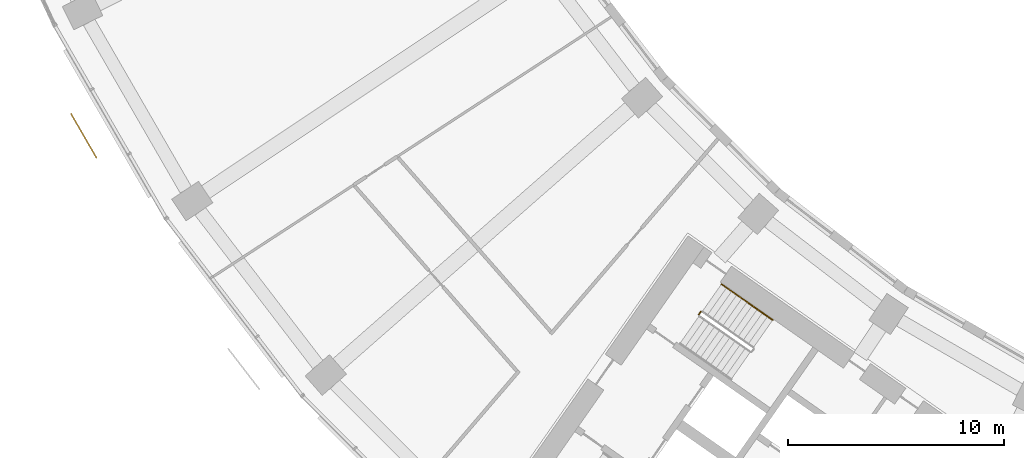
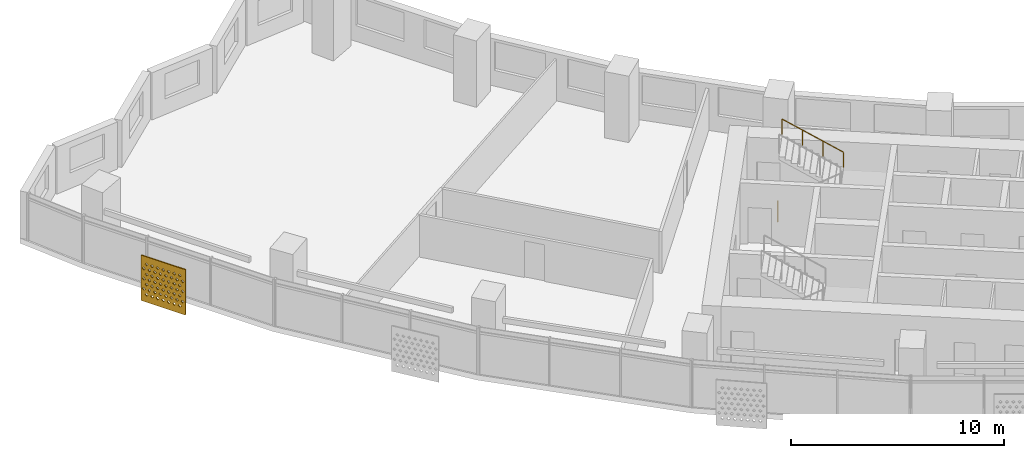
# One storey, part 26 of 29: 2 railings, 1 shading device.
"""IFC4 building model written with IfcOpenShell, lengths in metres."""

from ifc_helpers import new_model, si_unit, direction, frame, origin, origin_2d, place, context, subcontext, project, spatial, polyline, circle, outline, extrude, material, material_profile, profile_set, type_object, element, save


model = new_model("IFC4")

# Units and contexts
model_context = context("Model", 3, precision=1e-05, world=origin(), true_north=direction((0.0, 1.0)))
body_context = subcontext(model_context, "Body", "Model", "MODEL_VIEW")
ifc_project = project(units=[si_unit("LENGTHUNIT", "METRE"), si_unit("AREAUNIT", "SQUARE_METRE"), si_unit("VOLUMEUNIT", "CUBIC_METRE"), si_unit("PLANEANGLEUNIT", "RADIAN"), si_unit("MASSUNIT", "GRAM", prefix="KILO")], contexts=[model_context])

# Site, building, storey
site_placement = place(None, origin())
site = spatial("IfcSite", under=ifc_project, at=site_placement, CompositionType="ELEMENT")
building_placement = place(site_placement, origin())
building = spatial("IfcBuilding", under=site, at=building_placement, Name="Qamariyya Broadcast Tower", CompositionType="ELEMENT")
storey_placement = place(building_placement, frame((0.0, 0.0, 136.699951171875)))
storey = spatial("IfcBuildingStorey", under=building, at=storey_placement, Name="L31", CompositionType="ELEMENT", Elevation=136.699951171875)

# Shading device
ifc_material_1 = material(Name="Perforated glazed terracotta", Category="masonry")
ifc_material_profile = material_profile(ifc_material_1, outline(polyline([(-1.199951171875, -1.300048828125), (1.199951171875, -1.300048828125), (1.199951171875, 1.300048828125), (-1.199951171875, 1.300048828125), (-1.199951171875, -1.300048828125)]), holes=[polyline([(-0.81494140625, -0.86669921875), (-0.89990234375, -0.78173828125), (-0.985107421875, -0.86669921875), (-0.89990234375, -0.95166015625), (-0.81494140625, -0.86669921875)]), polyline([(-0.514892578125, -0.86669921875), (-0.60009765625, -0.78173828125), (-0.68505859375, -0.86669921875), (-0.60009765625, -0.95166015625), (-0.514892578125, -0.86669921875)]), polyline([(-0.215087890625, -0.86669921875), (-0.300048828125, -0.78173828125), (-0.385009765625, -0.86669921875), (-0.300048828125, -0.95166015625), (-0.215087890625, -0.86669921875)]), polyline([(0.0849609375, -0.86669921875), (0.0, -0.78173828125), (-0.0849609375, -0.86669921875), (0.0, -0.95166015625), (0.0849609375, -0.86669921875)]), polyline([(0.385009765625, -0.86669921875), (0.300048828125, -0.78173828125), (0.215087890625, -0.86669921875), (0.300048828125, -0.95166015625), (0.385009765625, -0.86669921875)]), polyline([(0.68505859375, -0.86669921875), (0.60009765625, -0.78173828125), (0.514892578125, -0.86669921875), (0.60009765625, -0.95166015625), (0.68505859375, -0.86669921875)]), polyline([(0.985107421875, -0.86669921875), (0.89990234375, -0.78173828125), (0.81494140625, -0.86669921875), (0.89990234375, -0.95166015625), (0.985107421875, -0.86669921875)]), polyline([(-0.965087890625, -0.577880859375), (-1.050048828125, -0.49267578125), (-1.135009765625, -0.577880859375), (-1.050048828125, -0.662841796875), (-0.965087890625, -0.577880859375)]), polyline([(-0.6650390625, -0.577880859375), (-0.75, -0.49267578125), (-0.8349609375, -0.577880859375), (-0.75, -0.662841796875), (-0.6650390625, -0.577880859375)]), polyline([(-0.364990234375, -0.577880859375), (-0.449951171875, -0.49267578125), (-0.534912109375, -0.577880859375), (-0.449951171875, -0.662841796875), (-0.364990234375, -0.577880859375)]), polyline([(-0.06494140625, -0.577880859375), (-0.14990234375, -0.49267578125), (-0.235107421875, -0.577880859375), (-0.14990234375, -0.662841796875), (-0.06494140625, -0.577880859375)]), polyline([(0.235107421875, -0.577880859375), (0.14990234375, -0.49267578125), (0.06494140625, -0.577880859375), (0.14990234375, -0.662841796875), (0.235107421875, -0.577880859375)]), polyline([(0.534912109375, -0.577880859375), (0.449951171875, -0.49267578125), (0.364990234375, -0.577880859375), (0.449951171875, -0.662841796875), (0.534912109375, -0.577880859375)]), polyline([(0.8349609375, -0.577880859375), (0.75, -0.49267578125), (0.6650390625, -0.577880859375), (0.75, -0.662841796875), (0.8349609375, -0.577880859375)]), polyline([(1.135009765625, -0.577880859375), (1.050048828125, -0.49267578125), (0.965087890625, -0.577880859375), (1.050048828125, -0.662841796875), (1.135009765625, -0.577880859375)]), polyline([(-0.81494140625, -0.288818359375), (-0.89990234375, -0.203857421875), (-0.985107421875, -0.288818359375), (-0.89990234375, -0.373779296875), (-0.81494140625, -0.288818359375)]), polyline([(-0.514892578125, -0.288818359375), (-0.60009765625, -0.203857421875), (-0.68505859375, -0.288818359375), (-0.60009765625, -0.373779296875), (-0.514892578125, -0.288818359375)]), polyline([(-0.215087890625, -0.288818359375), (-0.300048828125, -0.203857421875), (-0.385009765625, -0.288818359375), (-0.300048828125, -0.373779296875), (-0.215087890625, -0.288818359375)]), polyline([(0.0849609375, -0.288818359375), (0.0, -0.203857421875), (-0.0849609375, -0.288818359375), (0.0, -0.373779296875), (0.0849609375, -0.288818359375)]), polyline([(0.385009765625, -0.288818359375), (0.300048828125, -0.203857421875), (0.215087890625, -0.288818359375), (0.300048828125, -0.373779296875), (0.385009765625, -0.288818359375)]), polyline([(0.68505859375, -0.288818359375), (0.60009765625, -0.203857421875), (0.514892578125, -0.288818359375), (0.60009765625, -0.373779296875), (0.68505859375, -0.288818359375)]), polyline([(0.985107421875, -0.288818359375), (0.89990234375, -0.203857421875), (0.81494140625, -0.288818359375), (0.89990234375, -0.373779296875), (0.985107421875, -0.288818359375)]), polyline([(-0.965087890625, 0.0), (-1.050048828125, 0.0849609375), (-1.135009765625, 0.0), (-1.050048828125, -0.0849609375), (-0.965087890625, 0.0)]), polyline([(-0.6650390625, 0.0), (-0.75, 0.0849609375), (-0.8349609375, 0.0), (-0.75, -0.0849609375), (-0.6650390625, 0.0)]), polyline([(-0.364990234375, 0.0), (-0.449951171875, 0.0849609375), (-0.534912109375, 0.0), (-0.449951171875, -0.0849609375), (-0.364990234375, 0.0)]), polyline([(-0.06494140625, 0.0), (-0.14990234375, 0.0849609375), (-0.235107421875, 0.0), (-0.14990234375, -0.0849609375), (-0.06494140625, 0.0)]), polyline([(0.235107421875, 0.0), (0.14990234375, 0.0849609375), (0.06494140625, 0.0), (0.14990234375, -0.0849609375), (0.235107421875, 0.0)]), polyline([(0.534912109375, 0.0), (0.449951171875, 0.0849609375), (0.364990234375, 0.0), (0.449951171875, -0.0849609375), (0.534912109375, 0.0)]), polyline([(0.8349609375, 0.0), (0.75, 0.0849609375), (0.6650390625, 0.0), (0.75, -0.0849609375), (0.8349609375, 0.0)]), polyline([(1.135009765625, 0.0), (1.050048828125, 0.0849609375), (0.965087890625, 0.0), (1.050048828125, -0.0849609375), (1.135009765625, 0.0)]), polyline([(-0.81494140625, 0.288818359375), (-0.89990234375, 0.373779296875), (-0.985107421875, 0.288818359375), (-0.89990234375, 0.203857421875), (-0.81494140625, 0.288818359375)]), polyline([(-0.514892578125, 0.288818359375), (-0.60009765625, 0.373779296875), (-0.68505859375, 0.288818359375), (-0.60009765625, 0.203857421875), (-0.514892578125, 0.288818359375)]), polyline([(-0.215087890625, 0.288818359375), (-0.300048828125, 0.373779296875), (-0.385009765625, 0.288818359375), (-0.300048828125, 0.203857421875), (-0.215087890625, 0.288818359375)]), polyline([(0.0849609375, 0.288818359375), (0.0, 0.373779296875), (-0.0849609375, 0.288818359375), (0.0, 0.203857421875), (0.0849609375, 0.288818359375)]), polyline([(0.385009765625, 0.288818359375), (0.300048828125, 0.373779296875), (0.215087890625, 0.288818359375), (0.300048828125, 0.203857421875), (0.385009765625, 0.288818359375)]), polyline([(0.68505859375, 0.288818359375), (0.60009765625, 0.373779296875), (0.514892578125, 0.288818359375), (0.60009765625, 0.203857421875), (0.68505859375, 0.288818359375)]), polyline([(0.985107421875, 0.288818359375), (0.89990234375, 0.373779296875), (0.81494140625, 0.288818359375), (0.89990234375, 0.203857421875), (0.985107421875, 0.288818359375)]), polyline([(-0.965087890625, 0.577880859375), (-1.050048828125, 0.662841796875), (-1.135009765625, 0.577880859375), (-1.050048828125, 0.49267578125), (-0.965087890625, 0.577880859375)]), polyline([(-0.6650390625, 0.577880859375), (-0.75, 0.662841796875), (-0.8349609375, 0.577880859375), (-0.75, 0.49267578125), (-0.6650390625, 0.577880859375)]), polyline([(-0.364990234375, 0.577880859375), (-0.449951171875, 0.662841796875), (-0.534912109375, 0.577880859375), (-0.449951171875, 0.49267578125), (-0.364990234375, 0.577880859375)]), polyline([(-0.06494140625, 0.577880859375), (-0.14990234375, 0.662841796875), (-0.235107421875, 0.577880859375), (-0.14990234375, 0.49267578125), (-0.06494140625, 0.577880859375)]), polyline([(0.235107421875, 0.577880859375), (0.14990234375, 0.662841796875), (0.06494140625, 0.577880859375), (0.14990234375, 0.49267578125), (0.235107421875, 0.577880859375)]), polyline([(0.534912109375, 0.577880859375), (0.449951171875, 0.662841796875), (0.364990234375, 0.577880859375), (0.449951171875, 0.49267578125), (0.534912109375, 0.577880859375)]), polyline([(0.8349609375, 0.577880859375), (0.75, 0.662841796875), (0.6650390625, 0.577880859375), (0.75, 0.49267578125), (0.8349609375, 0.577880859375)]), polyline([(1.135009765625, 0.577880859375), (1.050048828125, 0.662841796875), (0.965087890625, 0.577880859375), (1.050048828125, 0.49267578125), (1.135009765625, 0.577880859375)]), polyline([(-0.81494140625, 0.86669921875), (-0.89990234375, 0.95166015625), (-0.985107421875, 0.86669921875), (-0.89990234375, 0.78173828125), (-0.81494140625, 0.86669921875)]), polyline([(-0.514892578125, 0.86669921875), (-0.60009765625, 0.95166015625), (-0.68505859375, 0.86669921875), (-0.60009765625, 0.78173828125), (-0.514892578125, 0.86669921875)]), polyline([(-0.215087890625, 0.86669921875), (-0.300048828125, 0.95166015625), (-0.385009765625, 0.86669921875), (-0.300048828125, 0.78173828125), (-0.215087890625, 0.86669921875)]), polyline([(0.0849609375, 0.86669921875), (0.0, 0.95166015625), (-0.0849609375, 0.86669921875), (0.0, 0.78173828125), (0.0849609375, 0.86669921875)]), polyline([(0.385009765625, 0.86669921875), (0.300048828125, 0.95166015625), (0.215087890625, 0.86669921875), (0.300048828125, 0.78173828125), (0.385009765625, 0.86669921875)]), polyline([(0.68505859375, 0.86669921875), (0.60009765625, 0.95166015625), (0.514892578125, 0.86669921875), (0.60009765625, 0.78173828125), (0.68505859375, 0.86669921875)]), polyline([(0.985107421875, 0.86669921875), (0.89990234375, 0.95166015625), (0.81494140625, 0.86669921875), (0.89990234375, 0.78173828125), (0.985107421875, 0.86669921875)])]))
ifc_profile_set = profile_set([ifc_material_profile], Name="Perforated glazed terracotta")
shading_device_type = type_object("IfcShadingDeviceType", Name="Perforated terracotta screen 2400 x 2600", PredefinedType="USERDEFINED", material=ifc_profile_set)
shading_device_placement = place(storey_placement, frame((-69.65185546875, -40.15966796875, 1.35009765625), z_axis=(-0.865982457891, -0.500074377092, 0.0), x_axis=(0.500074377092, -0.865982457891, 0.0)))
element("IfcShadingDevice", 1, at=shading_device_placement, inside=storey, type_object=shading_device_type, Name="e-scr-L31-01-1", ObjectType="SCREEN", PredefinedType="USERDEFINED", context=body_context, shape_type="SweptSolid", body=[
    extrude(outline(polyline([(-1.199951171875, -1.300048828125), (1.199951171875, -1.300048828125), (1.199951171875, 1.300048828125), (-1.199951171875, 1.300048828125), (-1.199951171875, -1.300048828125)]), holes=[polyline([(-0.81494140625, -0.86669921875), (-0.89990234375, -0.78173828125), (-0.985107421875, -0.86669921875), (-0.89990234375, -0.95166015625), (-0.81494140625, -0.86669921875)]), polyline([(-0.514892578125, -0.86669921875), (-0.60009765625, -0.78173828125), (-0.68505859375, -0.86669921875), (-0.60009765625, -0.95166015625), (-0.514892578125, -0.86669921875)]), polyline([(-0.215087890625, -0.86669921875), (-0.300048828125, -0.78173828125), (-0.385009765625, -0.86669921875), (-0.300048828125, -0.95166015625), (-0.215087890625, -0.86669921875)]), polyline([(0.0849609375, -0.86669921875), (0.0, -0.78173828125), (-0.0849609375, -0.86669921875), (0.0, -0.95166015625), (0.0849609375, -0.86669921875)]), polyline([(0.385009765625, -0.86669921875), (0.300048828125, -0.78173828125), (0.215087890625, -0.86669921875), (0.300048828125, -0.95166015625), (0.385009765625, -0.86669921875)]), polyline([(0.68505859375, -0.86669921875), (0.60009765625, -0.78173828125), (0.514892578125, -0.86669921875), (0.60009765625, -0.95166015625), (0.68505859375, -0.86669921875)]), polyline([(0.985107421875, -0.86669921875), (0.89990234375, -0.78173828125), (0.81494140625, -0.86669921875), (0.89990234375, -0.95166015625), (0.985107421875, -0.86669921875)]), polyline([(-0.965087890625, -0.577880859375), (-1.050048828125, -0.49267578125), (-1.135009765625, -0.577880859375), (-1.050048828125, -0.662841796875), (-0.965087890625, -0.577880859375)]), polyline([(-0.6650390625, -0.577880859375), (-0.75, -0.49267578125), (-0.8349609375, -0.577880859375), (-0.75, -0.662841796875), (-0.6650390625, -0.577880859375)]), polyline([(-0.364990234375, -0.577880859375), (-0.449951171875, -0.49267578125), (-0.534912109375, -0.577880859375), (-0.449951171875, -0.662841796875), (-0.364990234375, -0.577880859375)]), polyline([(-0.06494140625, -0.577880859375), (-0.14990234375, -0.49267578125), (-0.235107421875, -0.577880859375), (-0.14990234375, -0.662841796875), (-0.06494140625, -0.577880859375)]), polyline([(0.235107421875, -0.577880859375), (0.14990234375, -0.49267578125), (0.06494140625, -0.577880859375), (0.14990234375, -0.662841796875), (0.235107421875, -0.577880859375)]), polyline([(0.534912109375, -0.577880859375), (0.449951171875, -0.49267578125), (0.364990234375, -0.577880859375), (0.449951171875, -0.662841796875), (0.534912109375, -0.577880859375)]), polyline([(0.8349609375, -0.577880859375), (0.75, -0.49267578125), (0.6650390625, -0.577880859375), (0.75, -0.662841796875), (0.8349609375, -0.577880859375)]), polyline([(1.135009765625, -0.577880859375), (1.050048828125, -0.49267578125), (0.965087890625, -0.577880859375), (1.050048828125, -0.662841796875), (1.135009765625, -0.577880859375)]), polyline([(-0.81494140625, -0.288818359375), (-0.89990234375, -0.203857421875), (-0.985107421875, -0.288818359375), (-0.89990234375, -0.373779296875), (-0.81494140625, -0.288818359375)]), polyline([(-0.514892578125, -0.288818359375), (-0.60009765625, -0.203857421875), (-0.68505859375, -0.288818359375), (-0.60009765625, -0.373779296875), (-0.514892578125, -0.288818359375)]), polyline([(-0.215087890625, -0.288818359375), (-0.300048828125, -0.203857421875), (-0.385009765625, -0.288818359375), (-0.300048828125, -0.373779296875), (-0.215087890625, -0.288818359375)]), polyline([(0.0849609375, -0.288818359375), (0.0, -0.203857421875), (-0.0849609375, -0.288818359375), (0.0, -0.373779296875), (0.0849609375, -0.288818359375)]), polyline([(0.385009765625, -0.288818359375), (0.300048828125, -0.203857421875), (0.215087890625, -0.288818359375), (0.300048828125, -0.373779296875), (0.385009765625, -0.288818359375)]), polyline([(0.68505859375, -0.288818359375), (0.60009765625, -0.203857421875), (0.514892578125, -0.288818359375), (0.60009765625, -0.373779296875), (0.68505859375, -0.288818359375)]), polyline([(0.985107421875, -0.288818359375), (0.89990234375, -0.203857421875), (0.81494140625, -0.288818359375), (0.89990234375, -0.373779296875), (0.985107421875, -0.288818359375)]), polyline([(-0.965087890625, 0.0), (-1.050048828125, 0.0849609375), (-1.135009765625, 0.0), (-1.050048828125, -0.0849609375), (-0.965087890625, 0.0)]), polyline([(-0.6650390625, 0.0), (-0.75, 0.0849609375), (-0.8349609375, 0.0), (-0.75, -0.0849609375), (-0.6650390625, 0.0)]), polyline([(-0.364990234375, 0.0), (-0.449951171875, 0.0849609375), (-0.534912109375, 0.0), (-0.449951171875, -0.0849609375), (-0.364990234375, 0.0)]), polyline([(-0.06494140625, 0.0), (-0.14990234375, 0.0849609375), (-0.235107421875, 0.0), (-0.14990234375, -0.0849609375), (-0.06494140625, 0.0)]), polyline([(0.235107421875, 0.0), (0.14990234375, 0.0849609375), (0.06494140625, 0.0), (0.14990234375, -0.0849609375), (0.235107421875, 0.0)]), polyline([(0.534912109375, 0.0), (0.449951171875, 0.0849609375), (0.364990234375, 0.0), (0.449951171875, -0.0849609375), (0.534912109375, 0.0)]), polyline([(0.8349609375, 0.0), (0.75, 0.0849609375), (0.6650390625, 0.0), (0.75, -0.0849609375), (0.8349609375, 0.0)]), polyline([(1.135009765625, 0.0), (1.050048828125, 0.0849609375), (0.965087890625, 0.0), (1.050048828125, -0.0849609375), (1.135009765625, 0.0)]), polyline([(-0.81494140625, 0.288818359375), (-0.89990234375, 0.373779296875), (-0.985107421875, 0.288818359375), (-0.89990234375, 0.203857421875), (-0.81494140625, 0.288818359375)]), polyline([(-0.514892578125, 0.288818359375), (-0.60009765625, 0.373779296875), (-0.68505859375, 0.288818359375), (-0.60009765625, 0.203857421875), (-0.514892578125, 0.288818359375)]), polyline([(-0.215087890625, 0.288818359375), (-0.300048828125, 0.373779296875), (-0.385009765625, 0.288818359375), (-0.300048828125, 0.203857421875), (-0.215087890625, 0.288818359375)]), polyline([(0.0849609375, 0.288818359375), (0.0, 0.373779296875), (-0.0849609375, 0.288818359375), (0.0, 0.203857421875), (0.0849609375, 0.288818359375)]), polyline([(0.385009765625, 0.288818359375), (0.300048828125, 0.373779296875), (0.215087890625, 0.288818359375), (0.300048828125, 0.203857421875), (0.385009765625, 0.288818359375)]), polyline([(0.68505859375, 0.288818359375), (0.60009765625, 0.373779296875), (0.514892578125, 0.288818359375), (0.60009765625, 0.203857421875), (0.68505859375, 0.288818359375)]), polyline([(0.985107421875, 0.288818359375), (0.89990234375, 0.373779296875), (0.81494140625, 0.288818359375), (0.89990234375, 0.203857421875), (0.985107421875, 0.288818359375)]), polyline([(-0.965087890625, 0.577880859375), (-1.050048828125, 0.662841796875), (-1.135009765625, 0.577880859375), (-1.050048828125, 0.49267578125), (-0.965087890625, 0.577880859375)]), polyline([(-0.6650390625, 0.577880859375), (-0.75, 0.662841796875), (-0.8349609375, 0.577880859375), (-0.75, 0.49267578125), (-0.6650390625, 0.577880859375)]), polyline([(-0.364990234375, 0.577880859375), (-0.449951171875, 0.662841796875), (-0.534912109375, 0.577880859375), (-0.449951171875, 0.49267578125), (-0.364990234375, 0.577880859375)]), polyline([(-0.06494140625, 0.577880859375), (-0.14990234375, 0.662841796875), (-0.235107421875, 0.577880859375), (-0.14990234375, 0.49267578125), (-0.06494140625, 0.577880859375)]), polyline([(0.235107421875, 0.577880859375), (0.14990234375, 0.662841796875), (0.06494140625, 0.577880859375), (0.14990234375, 0.49267578125), (0.235107421875, 0.577880859375)]), polyline([(0.534912109375, 0.577880859375), (0.449951171875, 0.662841796875), (0.364990234375, 0.577880859375), (0.449951171875, 0.49267578125), (0.534912109375, 0.577880859375)]), polyline([(0.8349609375, 0.577880859375), (0.75, 0.662841796875), (0.6650390625, 0.577880859375), (0.75, 0.49267578125), (0.8349609375, 0.577880859375)]), polyline([(1.135009765625, 0.577880859375), (1.050048828125, 0.662841796875), (0.965087890625, 0.577880859375), (1.050048828125, 0.49267578125), (1.135009765625, 0.577880859375)]), polyline([(-0.81494140625, 0.86669921875), (-0.89990234375, 0.95166015625), (-0.985107421875, 0.86669921875), (-0.89990234375, 0.78173828125), (-0.81494140625, 0.86669921875)]), polyline([(-0.514892578125, 0.86669921875), (-0.60009765625, 0.95166015625), (-0.68505859375, 0.86669921875), (-0.60009765625, 0.78173828125), (-0.514892578125, 0.86669921875)]), polyline([(-0.215087890625, 0.86669921875), (-0.300048828125, 0.95166015625), (-0.385009765625, 0.86669921875), (-0.300048828125, 0.78173828125), (-0.215087890625, 0.86669921875)]), polyline([(0.0849609375, 0.86669921875), (0.0, 0.95166015625), (-0.0849609375, 0.86669921875), (0.0, 0.78173828125), (0.0849609375, 0.86669921875)]), polyline([(0.385009765625, 0.86669921875), (0.300048828125, 0.95166015625), (0.215087890625, 0.86669921875), (0.300048828125, 0.78173828125), (0.385009765625, 0.86669921875)]), polyline([(0.68505859375, 0.86669921875), (0.60009765625, 0.95166015625), (0.514892578125, 0.86669921875), (0.60009765625, 0.78173828125), (0.68505859375, 0.86669921875)]), polyline([(0.985107421875, 0.86669921875), (0.89990234375, 0.95166015625), (0.81494140625, 0.86669921875), (0.89990234375, 0.78173828125), (0.985107421875, 0.86669921875)])]), origin(), (0.0, 0.0, 1.0), 0.06005859375),
])

# Railings
ifc_material_2 = material(Name="Painted steel", Category="steel")
railing_type_1 = type_object("IfcRailingType", Name="Stair guard", PredefinedType="GUARDRAIL", material=ifc_material_2)
railing_1_placement = place(storey_placement, frame((-41.158935546875, -48.455322265625, 0.0)))
element("IfcRailing", 2, at=railing_1_placement, inside=storey, type_object=railing_type_1, Name="L31 ST-W2 stair guard 3", PredefinedType="GUARDRAIL", context=body_context, shape_type="SweptSolid", body=[
    extrude(circle(Radius=0.02392578125, at=origin_2d()), frame((0.0, 0.0, 1.076171875), z_axis=(0.572588637393, 0.819842821722, 0.0), x_axis=(-0.819842821722, 0.572588637393, 0.0)), (0.0, 0.0, 1.0), 0.150146484375),
    extrude(circle(Radius=0.02099609375, at=origin_2d()), origin(), (0.0, 0.0, 1.0), 1.052001953125),
    extrude(circle(Radius=0.02099609375, at=origin_2d()), frame((0.0859375, 0.123046875, 0.0)), (0.0, 0.0, 1.0), 1.052001953125),
])
ifc_material_3 = material(Name="Stainless steel", Category="steel")
railing_type_2 = type_object("IfcRailingType", Name="Stair handrail", PredefinedType="HANDRAIL", material=ifc_material_3)
railing_2_placement = place(storey_placement, frame((-37.73876953125, -48.7138671875, 2.07275390625)))
element("IfcRailing", 3, at=railing_2_placement, inside=storey, type_object=railing_type_2, Name="L31 ST-W2 stair handrail 2", PredefinedType="HANDRAIL", context=body_context, shape_type="SweptSolid", body=[
    extrude(circle(Radius=0.02392578125, at=origin_2d()), frame((0.0, 0.0, 0.8759765625), z_axis=(-0.703745009021, 0.492838488332, 0.511715923826), x_axis=(-0.573631830683, -0.819113253969, 0.0)), (0.0, 0.0, 1.0), 3.37548828125),
    extrude(circle(Radius=0.02099609375, at=origin_2d()), origin(), (0.0, 0.0, 1.0), 0.851806640625),
    extrude(circle(Radius=0.02099609375, at=origin_2d()), frame((-0.791748046875, 0.554443359375, 0.57568359375)), (0.0, 0.0, 1.0), 0.851806640625),
    extrude(circle(Radius=0.02099609375, at=origin_2d()), frame((-1.583740234375, 1.109130859375, 1.151611328125)), (0.0, 0.0, 1.0), 0.851806640625),
    extrude(circle(Radius=0.02099609375, at=origin_2d()), frame((-2.37548828125, 1.66357421875, 1.727294921875)), (0.0, 0.0, 1.0), 0.851806640625),
])

save(model, "model.ifc")
